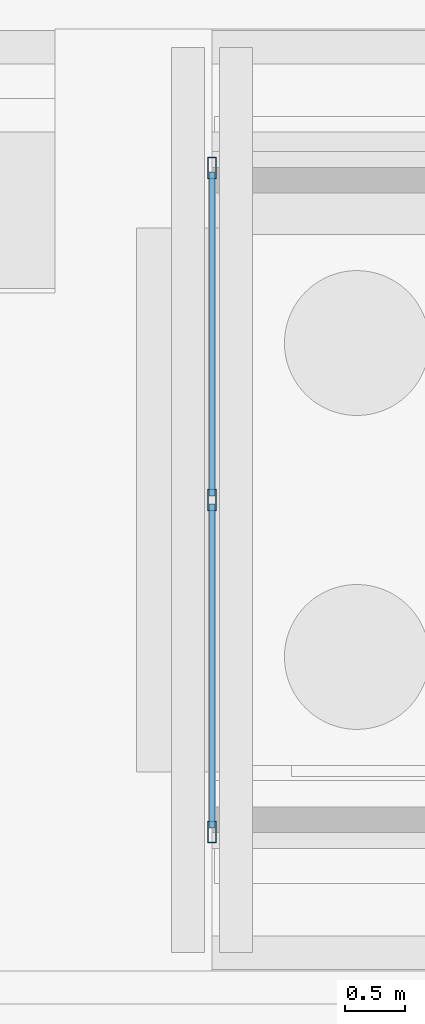
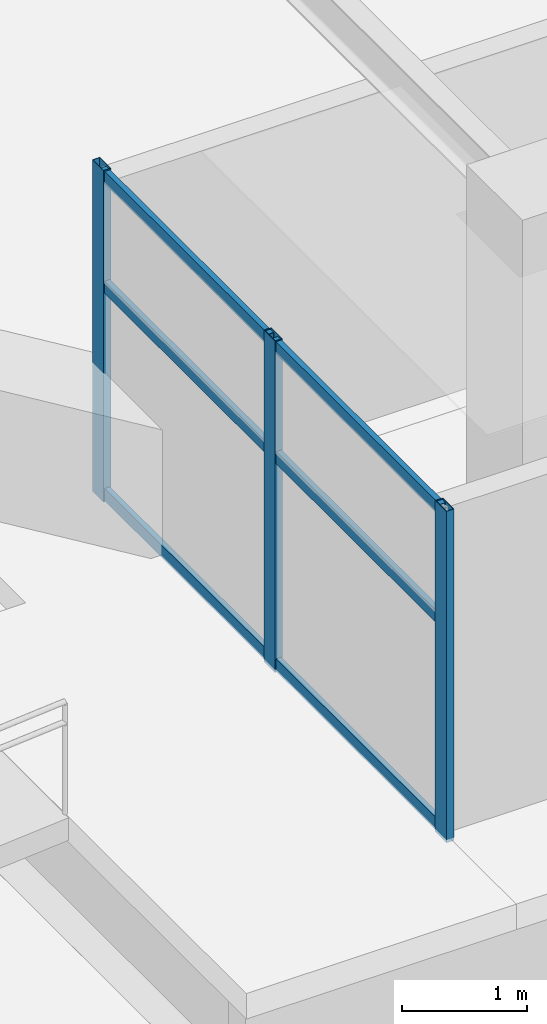
# One storey, part 83 of 160: 9 members, 1 element without a shape of its own.
"""IFC4 building model written with IfcOpenShell, lengths in metres."""

from ifc_helpers import new_model, si_unit, direction, frame, origin, origin_2d, place, context, subcontext, project, spatial, hollow_rectangle, extrude, material, layer, layer_set, material_profile, profile_set, type_object, element, aggregate, save


model = new_model("IFC4")

# Units and contexts
model_context = context("Model", 3, precision=1e-05, world=origin(), true_north=direction((0.0, 1.0)))
body_context = subcontext(model_context, "Body", "Model", "MODEL_VIEW")
ifc_project = project(units=[si_unit("LENGTHUNIT", "METRE"), si_unit("AREAUNIT", "SQUARE_METRE"), si_unit("VOLUMEUNIT", "CUBIC_METRE"), si_unit("PLANEANGLEUNIT", "RADIAN"), si_unit("MASSUNIT", "GRAM", prefix="KILO")], contexts=[model_context])

# Site, building, storey
site_placement = place(None, origin())
site = spatial("IfcSite", under=ifc_project, at=site_placement, CompositionType="ELEMENT")
building_placement = place(site_placement, origin())
building = spatial("IfcBuilding", under=site, at=building_placement, Name="Marlcrest Central Station", CompositionType="ELEMENT")
storey_placement = place(building_placement, origin())
storey = spatial("IfcBuildingStorey", under=building, at=storey_placement, Name="L00", CompositionType="ELEMENT", Elevation=0.0)

# Curtain wall, members
ifc_material_1 = material(Name="Anodised aluminium and hurricane laminated glass", Category="aluminium")
ifc_layer = layer(ifc_material_1, 0.179931640625, Name="CW-S1")
ifc_layer_set = layer_set([ifc_layer], Name="Anodised aluminium and hurricane laminated glass")
curtain_wall_type = type_object("IfcCurtainWallType", Name="CW-S1", PredefinedType="USERDEFINED", material=ifc_layer_set)
curtain_wall_placement = place(storey_placement, origin())
curtain_wall = element("IfcCurtainWall", 1, at=curtain_wall_placement, inside=storey, type_object=curtain_wall_type, Name="cw-L00-0174", ObjectType="STICK_CURTAIN_WALL", PredefinedType="USERDEFINED")
ifc_material_2 = material(Name="Anodised aluminium 6063-T6", Category="aluminium")
ifc_material_profile_1 = material_profile(ifc_material_2, hollow_rectangle(XDim=0.070068359375, YDim=0.179931640625, WallThickness=0.0048828125, at=origin_2d()), Name="AA-RHS 180x70x5")
ifc_profile_set_1 = profile_set([ifc_material_profile_1], Name="Anodised aluminium 6063-T6")
member_type_1 = type_object("IfcMemberType", Name="ML-02", PredefinedType="MULLION", material=ifc_profile_set_1)
member_1_placement = place(storey_placement, frame((141.5, 48.25, 0.885009765625), z_axis=(0.0, 0.0, 1.0), x_axis=(1.0, 0.0, 0.0)))
member_1 = element("IfcMember", 2, at=member_1_placement, type_object=member_type_1, Name="cw-L00-0174-ml-0", PredefinedType="MULLION", context=body_context, shape_type="SweptSolid", body=[
    extrude(hollow_rectangle(XDim=0.070068359375, YDim=0.179931640625, WallThickness=0.0048828125, at=origin_2d()), origin(), (0.0, 0.0, 1.0), 3.244873046875),
])
member_2_placement = place(storey_placement, frame((141.5, 51.0, 0.885009765625), z_axis=(0.0, 0.0, 1.0), x_axis=(1.0, 0.0, 0.0)))
member_2 = element("IfcMember", 3, at=member_2_placement, type_object=member_type_1, Name="cw-L00-0174-ml-1", PredefinedType="MULLION", context=body_context, shape_type="SweptSolid", body=[
    extrude(hollow_rectangle(XDim=0.070068359375, YDim=0.179931640625, WallThickness=0.0048828125, at=origin_2d()), origin(), (0.0, 0.0, 1.0), 3.244873046875),
])
member_3_placement = place(storey_placement, frame((141.5, 53.75, 0.885009765625), z_axis=(0.0, 0.0, 1.0), x_axis=(1.0, 0.0, 0.0)))
member_3 = element("IfcMember", 4, at=member_3_placement, type_object=member_type_1, Name="cw-L00-0174-ml-2", PredefinedType="MULLION", context=body_context, shape_type="SweptSolid", body=[
    extrude(hollow_rectangle(XDim=0.070068359375, YDim=0.179931640625, WallThickness=0.0048828125, at=origin_2d()), origin(), (0.0, 0.0, 1.0), 3.244873046875),
])
ifc_material_profile_2 = material_profile(ifc_material_2, hollow_rectangle(XDim=0.050048828125, YDim=0.1201171875, WallThickness=0.00390625, at=origin_2d()), Name="AA-RHS 120x50x4")
ifc_profile_set_2 = profile_set([ifc_material_profile_2], Name="Anodised aluminium 6063-T6")
member_type_2 = type_object("IfcMemberType", Name="TR-02", PredefinedType="USERDEFINED", material=ifc_profile_set_2)
member_4_placement = place(storey_placement, frame((141.5, 48.282958984375, 0.955078125), z_axis=(0.0, 1.0, 0.0), x_axis=(-1.0, 0.0, 0.0)))
member_4 = element("IfcMember", 5, at=member_4_placement, type_object=member_type_2, Name="cw-L00-0174-tr-0-sill", ObjectType="TRANSOM", PredefinedType="USERDEFINED", context=body_context, shape_type="SweptSolid", body=[
    extrude(hollow_rectangle(XDim=0.050048828125, YDim=0.1201171875, WallThickness=0.00390625, at=origin_2d()), origin(), (0.0, 0.0, 1.0), 2.68408203125),
])
member_5_placement = place(storey_placement, frame((141.5, 48.282958984375, 2.985107421875), z_axis=(0.0, 1.0, 0.0), x_axis=(-1.0, 0.0, 0.0)))
member_5 = element("IfcMember", 6, at=member_5_placement, type_object=member_type_2, Name="cw-L00-0174-tr-0-mid", ObjectType="TRANSOM", PredefinedType="USERDEFINED", context=body_context, shape_type="SweptSolid", body=[
    extrude(hollow_rectangle(XDim=0.050048828125, YDim=0.1201171875, WallThickness=0.00390625, at=origin_2d()), origin(), (0.0, 0.0, 1.0), 2.68408203125),
])
member_6_placement = place(storey_placement, frame((141.5, 48.282958984375, 4.06005859375), z_axis=(0.0, 1.0, 0.0), x_axis=(-1.0, 0.0, 0.0)))
member_6 = element("IfcMember", 7, at=member_6_placement, type_object=member_type_2, Name="cw-L00-0174-tr-0-head", ObjectType="TRANSOM", PredefinedType="USERDEFINED", context=body_context, shape_type="SweptSolid", body=[
    extrude(hollow_rectangle(XDim=0.050048828125, YDim=0.1201171875, WallThickness=0.00390625, at=origin_2d()), origin(), (0.0, 0.0, 1.0), 2.68408203125),
])
member_7_placement = place(storey_placement, frame((141.5, 51.032958984375, 0.955078125), z_axis=(0.0, 1.0, 0.0), x_axis=(-1.0, 0.0, 0.0)))
member_7 = element("IfcMember", 8, at=member_7_placement, type_object=member_type_2, Name="cw-L00-0174-tr-1-sill", ObjectType="TRANSOM", PredefinedType="USERDEFINED", context=body_context, shape_type="SweptSolid", body=[
    extrude(hollow_rectangle(XDim=0.050048828125, YDim=0.1201171875, WallThickness=0.00390625, at=origin_2d()), origin(), (0.0, 0.0, 1.0), 2.68408203125),
])
member_8_placement = place(storey_placement, frame((141.5, 51.032958984375, 2.985107421875), z_axis=(0.0, 1.0, 0.0), x_axis=(-1.0, 0.0, 0.0)))
member_8 = element("IfcMember", 9, at=member_8_placement, type_object=member_type_2, Name="cw-L00-0174-tr-1-mid", ObjectType="TRANSOM", PredefinedType="USERDEFINED", context=body_context, shape_type="SweptSolid", body=[
    extrude(hollow_rectangle(XDim=0.050048828125, YDim=0.1201171875, WallThickness=0.00390625, at=origin_2d()), origin(), (0.0, 0.0, 1.0), 2.68408203125),
])
member_9_placement = place(storey_placement, frame((141.5, 51.032958984375, 4.06005859375), z_axis=(0.0, 1.0, 0.0), x_axis=(-1.0, 0.0, 0.0)))
member_9 = element("IfcMember", 10, at=member_9_placement, type_object=member_type_2, Name="cw-L00-0174-tr-1-head", ObjectType="TRANSOM", PredefinedType="USERDEFINED", context=body_context, shape_type="SweptSolid", body=[
    extrude(hollow_rectangle(XDim=0.050048828125, YDim=0.1201171875, WallThickness=0.00390625, at=origin_2d()), origin(), (0.0, 0.0, 1.0), 2.68408203125),
])
aggregate(curtain_wall, [member_1, member_2, member_3, member_4, member_5, member_6, member_7, member_8, member_9])

save(model, "model.ifc")
